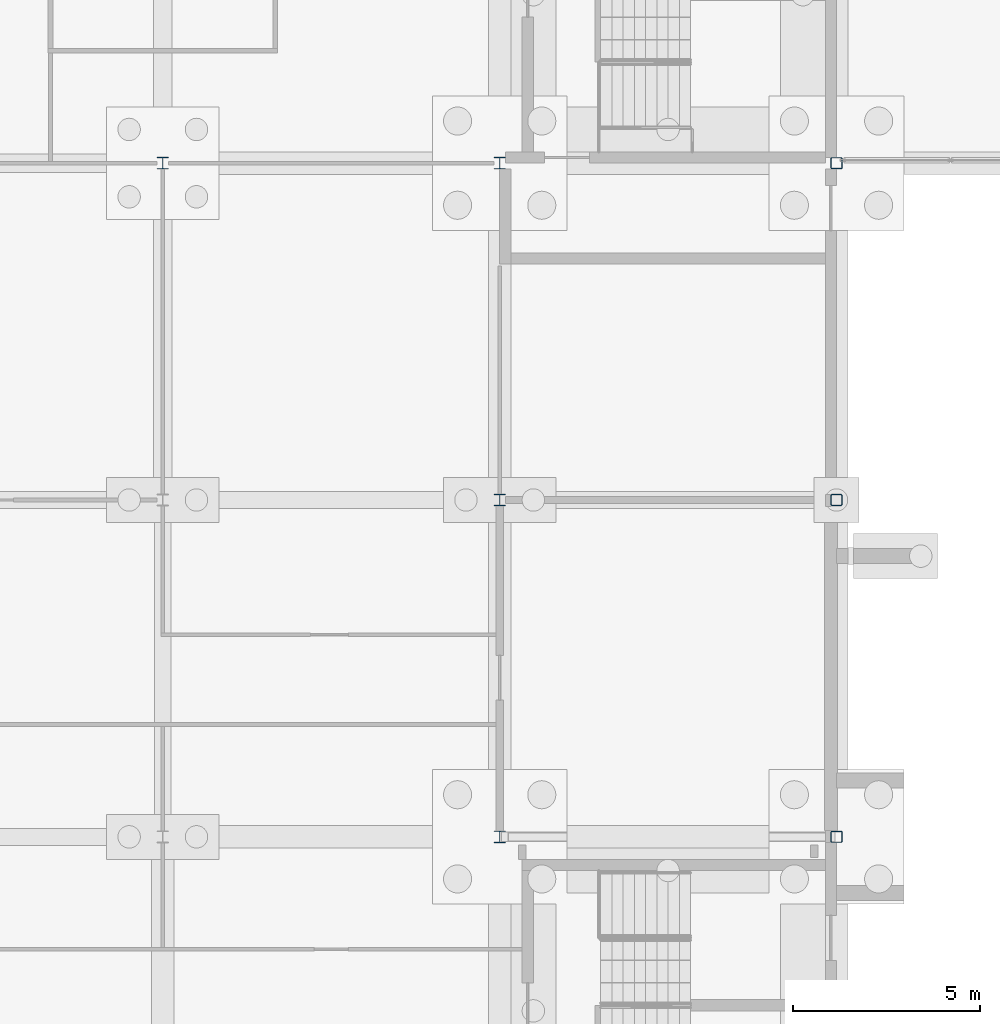
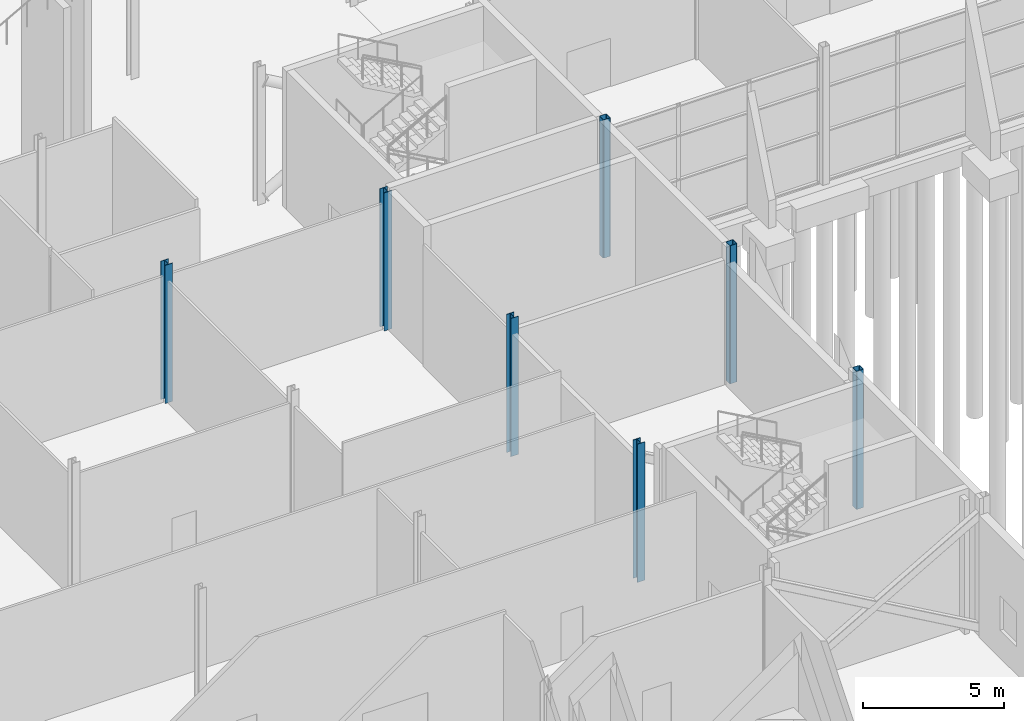
# One storey, part 22 of 139: 7 columns.
"""IFC4 building model written with IfcOpenShell, lengths in metres."""

from ifc_helpers import new_model, si_unit, direction, frame, origin, origin_2d, place, context, subcontext, project, spatial, hollow_rectangle, i_section, extrude, material, material_profile, profile_set, type_object, element, save


model = new_model("IFC4")

# Units and contexts
model_context = context("Model", 3, precision=1e-05, world=origin(), true_north=direction((0.0, 1.0)))
body_context = subcontext(model_context, "Body", "Model", "MODEL_VIEW")
ifc_project = project(units=[si_unit("LENGTHUNIT", "METRE"), si_unit("AREAUNIT", "SQUARE_METRE"), si_unit("VOLUMEUNIT", "CUBIC_METRE"), si_unit("PLANEANGLEUNIT", "RADIAN"), si_unit("MASSUNIT", "GRAM", prefix="KILO")], contexts=[model_context])

# Site, building, storey
site_placement = place(None, origin())
site = spatial("IfcSite", under=ifc_project, at=site_placement, CompositionType="ELEMENT")
building_placement = place(site_placement, origin())
building = spatial("IfcBuilding", under=site, at=building_placement, Name="Shorebreak Coast Museum", CompositionType="ELEMENT")
storey_placement = place(building_placement, origin())
storey = spatial("IfcBuildingStorey", under=building, at=storey_placement, Name="L00", CompositionType="ELEMENT", Elevation=0.0)

# Columns
ifc_material_1 = material(Name="Steel Grade C450L0", Category="steel")
ifc_material_profile_1 = material_profile(ifc_material_1, hollow_rectangle(XDim=0.300048828125, YDim=0.300048828125, WallThickness=0.012451171875, InnerFilletRadius=0.018798828125, OuterFilletRadius=0.03125, at=origin_2d()), Name="300x300x12.5 SHS")
ifc_profile_set_1 = profile_set([ifc_material_profile_1], Name="Steel Grade C450L0")
column_type_1 = type_object("IfcColumnType", Name="Column 300x300x12.5 SHS", PredefinedType="COLUMN", material=ifc_profile_set_1)
for number, where, z_axis, x_axis, name in (
    (1, (117.0, 36.0, 0.0), (0.0, 0.0, 1.0), (1.0, 0.0, 0.0), "Column L00 14E"),
    (2, (117.0, 45.0, 0.0), (0.0, 0.0, 1.0), (1.0, 0.0, 0.0), "Column L00 14F"),
    (3, (117.0, 54.0, 0.0), (0.0, 0.0, 1.0), (1.0, 0.0, 0.0), "Column L00 14G"),
):
    element("IfcColumn", number, at=place(storey_placement, frame(where, z_axis=z_axis, x_axis=x_axis)), inside=storey, type_object=column_type_1, Name=name, PredefinedType="COLUMN", context=body_context, shape_type="SweptSolid", body=[
        extrude(hollow_rectangle(XDim=0.300048828125, YDim=0.300048828125, WallThickness=0.012451171875, InnerFilletRadius=0.018798828125, OuterFilletRadius=0.03125, at=origin_2d()), origin(), (0.0, 0.0, 1.0), 6.0),
    ])
ifc_material_2 = material(Name="Steel Grade 300", Category="steel")
ifc_material_profile_2 = material_profile(ifc_material_2, i_section(OverallWidth=0.30908203125, OverallDepth=0.320556640625, WebThickness=0.013916015625, FlangeThickness=0.021728515625, FilletRadius=0.0166015625, at=origin_2d()), Name="310UC137")
ifc_profile_set_2 = profile_set([ifc_material_profile_2], Name="Steel Grade 300")
column_type_2 = type_object("IfcColumnType", Name="Column 310UC137", PredefinedType="COLUMN", material=ifc_profile_set_2)
for number, where, z_axis, x_axis, name in (
    (4, (108.0, 36.0, 0.0), (0.0, 0.0, 1.0), (1.0, 0.0, 0.0), "Column L00 13E"),
    (5, (108.0, 45.0, 0.0), (0.0, 0.0, 1.0), (1.0, 0.0, 0.0), "Column L00 13F"),
    (6, (99.0, 54.0, 0.0), (0.0, 0.0, 1.0), (1.0, 0.0, 0.0), "Column L00 12G"),
    (7, (108.0, 54.0, 0.0), (0.0, 0.0, 1.0), (1.0, 0.0, 0.0), "Column L00 13G"),
):
    element("IfcColumn", number, at=place(storey_placement, frame(where, z_axis=z_axis, x_axis=x_axis)), inside=storey, type_object=column_type_2, Name=name, PredefinedType="COLUMN", context=body_context, shape_type="SweptSolid", body=[
        extrude(i_section(OverallWidth=0.30908203125, OverallDepth=0.320556640625, WebThickness=0.013916015625, FlangeThickness=0.021728515625, FilletRadius=0.0166015625, at=origin_2d()), origin(), (0.0, 0.0, 1.0), 6.0),
    ])

save(model, "model.ifc")
